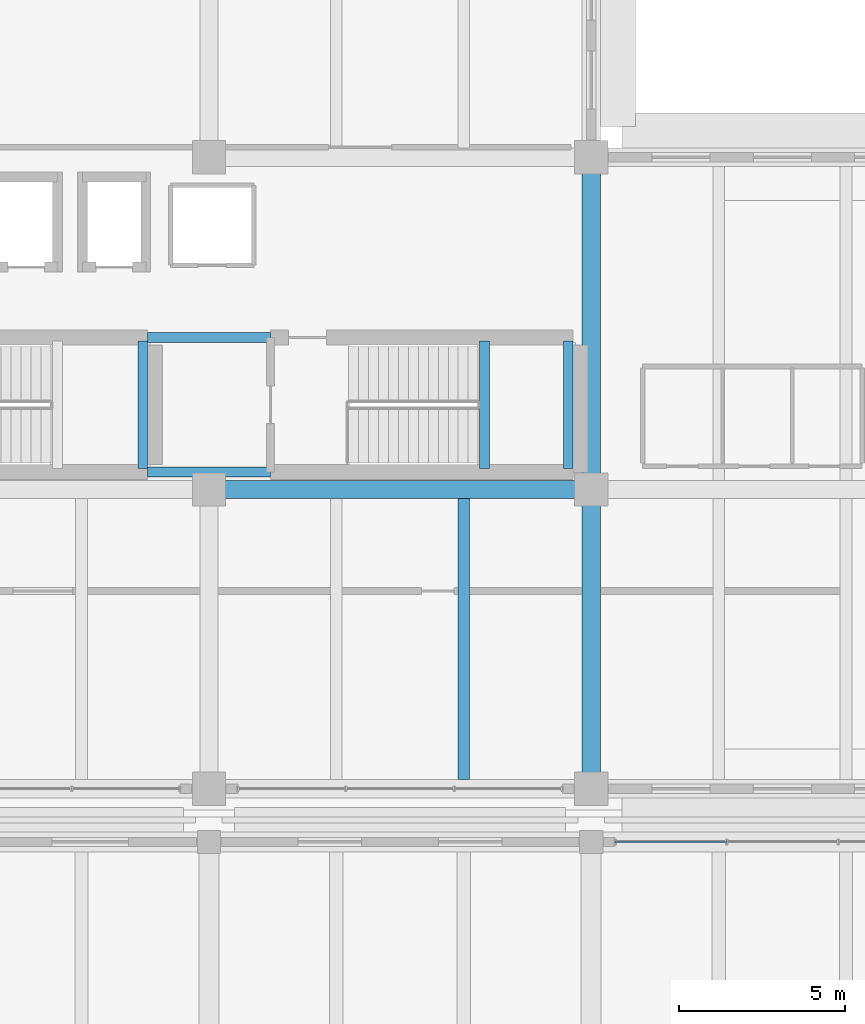
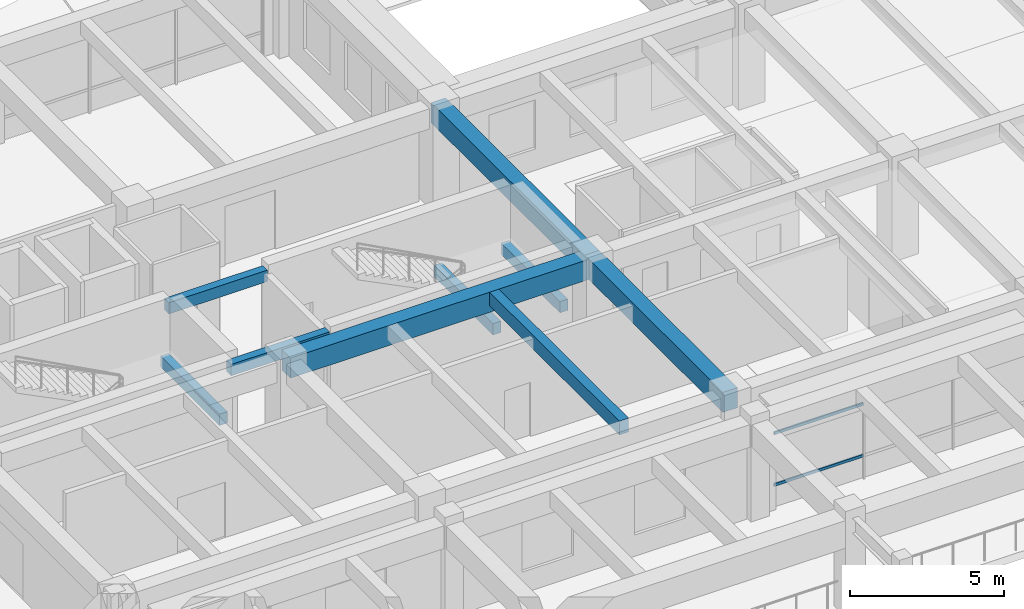
# One storey, part 24 of 98: 9 beams, 2 members, 1 element without a shape of its own.
"""IFC4 building model written with IfcOpenShell, lengths in metres."""

from ifc_helpers import new_model, si_unit, direction, frame, origin, origin_2d, place, context, subcontext, project, spatial, rectangle, hollow_rectangle, extrude, material, material_profile, profile_set, type_object, element, aggregate, save


model = new_model("IFC4")

# Units and contexts
model_context = context("Model", 3, precision=1e-05, world=origin(), true_north=direction((0.0, 1.0)))
body_context = subcontext(model_context, "Body", "Model", "MODEL_VIEW")
ifc_project = project(units=[si_unit("LENGTHUNIT", "METRE"), si_unit("AREAUNIT", "SQUARE_METRE"), si_unit("VOLUMEUNIT", "CUBIC_METRE"), si_unit("PLANEANGLEUNIT", "RADIAN"), si_unit("MASSUNIT", "GRAM", prefix="KILO")], contexts=[model_context])

# Site, building, storey
site_placement = place(None, origin())
site = spatial("IfcSite", under=ifc_project, at=site_placement, CompositionType="ELEMENT")
building_placement = place(site_placement, origin())
building = spatial("IfcBuilding", under=site, at=building_placement, Name="Ologun Quay Terminus", CompositionType="ELEMENT")
storey_placement = place(building_placement, frame((0.0, 0.0, 4.199951171875)))
storey = spatial("IfcBuildingStorey", under=building, at=storey_placement, Name="L01", CompositionType="ELEMENT", Elevation=4.199951171875)

# Beams
ifc_material_1 = material(Name="Concrete C40/50", Category="concrete")
ifc_material_profile_1 = material_profile(ifc_material_1, rectangle(XDim=0.300048828125, YDim=0.449951171875, at=origin_2d()), Name="RC 300x450")
ifc_profile_set_1 = profile_set([ifc_material_profile_1], Name="Concrete C40/50")
beam_type_1 = type_object("IfcBeamType", Name="Core Coupling Lintel Beam 300x450", PredefinedType="LINTEL", material=ifc_profile_set_1)
for number, where, z_axis, x_axis, name in (
    (1, (32.64990234375, 95.324951171875, 3.72509765625), (1.0, 0.0, 0.0), (0.0, 1.0, 0.0), "LN1 Beam 4/H L01"),
    (2, (32.64990234375, 99.375, 3.72509765625), (1.0, 0.0, 0.0), (0.0, 1.0, 0.0), "LN1 Beam 4/H L01"),
):
    element("IfcBeam", number, at=place(storey_placement, frame(where, z_axis=z_axis, x_axis=x_axis)), inside=storey, type_object=beam_type_1, Name=name, PredefinedType="LINTEL", context=body_context, shape_type="SweptSolid", body=[
        extrude(rectangle(XDim=0.300048828125, YDim=0.449951171875, at=origin_2d()), origin(), (0.0, 0.0, 1.0), 3.7001953125),
    ])
for number, where, z_axis, x_axis, name in (
    (3, (32.510009765625, 95.429931640625, 1.695068359375), (0.0, 1.0, 0.0), (-1.0, 0.0, 0.0), "LN1 Half-Landing Ledger Beam ST-W1-E L01"),
    (4, (42.7900390625, 95.429931640625, 1.695068359375), (0.0, 1.0, 0.0), (-1.0, 0.0, 0.0), "LN1 Half-Landing Ledger Beam ST-W2-W L01"),
    (5, (45.31005859375, 95.429931640625, 1.695068359375), (0.0, 1.0, 0.0), (-1.0, 0.0, 0.0), "LN1 Half-Landing Ledger Beam ST-W2-E L01"),
):
    element("IfcBeam", number, at=place(storey_placement, frame(where, z_axis=z_axis, x_axis=x_axis)), inside=storey, type_object=beam_type_1, Name=name, PredefinedType="LINTEL", context=body_context, shape_type="SweptSolid", body=[
        extrude(rectangle(XDim=0.300048828125, YDim=0.449951171875, at=origin_2d()), origin(), (0.0, 0.0, 1.0), 3.840087890625),
    ])

# Curtain wall, members
ifc_material_2 = material(Name="Aluminium 6063-T6", Category="aluminium")
curtain_wall_type = type_object("IfcCurtainWallType", Name="Forecourt Mezzanine Curtain Wall 10700x3850", PredefinedType="USERDEFINED", material=ifc_material_2)
curtain_wall_placement = place(storey_placement, origin())
curtain_wall = element("IfcCurtainWall", 6, at=curtain_wall_placement, inside=storey, type_object=curtain_wall_type, Name="CW-04 Curtain Wall CW-L01-088", ObjectType="UNITISED CURTAIN WALL", PredefinedType="USERDEFINED")
ifc_material_3 = material(Name="Aluminium 6063-T6", Category="aluminium")
ifc_material_profile_2 = material_profile(ifc_material_3, hollow_rectangle(XDim=0.054931640625, YDim=0.110107421875, WallThickness=0.00390625, at=origin_2d()), Name="ALU 110x55x4")
ifc_profile_set_2 = profile_set([ifc_material_profile_2], Name="Aluminium 6063-T6")
member_type = type_object("IfcMemberType", Name="Courtyard Screen Transom 110x55", PredefinedType="USERDEFINED", material=ifc_profile_set_2)
member_1_placement = place(storey_placement, frame((46.719970703125, 84.199951171875, 0.900146484375), z_axis=(1.0, 0.0, 0.0), x_axis=(0.0, 1.0, 0.0)))
member_1 = element("IfcMember", 7, at=member_1_placement, type_object=member_type, Name="CW-L01-088 Transom B1-1", ObjectType="TRANSOM", PredefinedType="USERDEFINED", context=body_context, shape_type="SweptSolid", body=[
    extrude(hollow_rectangle(XDim=0.054931640625, YDim=0.110107421875, WallThickness=0.00390625, at=origin_2d()), origin(), (0.0, 0.0, 1.0), 3.353271484375),
])
member_2_placement = place(storey_placement, frame((46.719970703125, 84.199951171875, 2.949951171875), z_axis=(1.0, 0.0, 0.0), x_axis=(0.0, 1.0, 0.0)))
member_2 = element("IfcMember", 8, at=member_2_placement, type_object=member_type, Name="CW-L01-088 Transom B1-2", ObjectType="TRANSOM", PredefinedType="USERDEFINED", context=body_context, shape_type="SweptSolid", body=[
    extrude(hollow_rectangle(XDim=0.054931640625, YDim=0.110107421875, WallThickness=0.00390625, at=origin_2d()), origin(), (0.0, 0.0, 1.0), 3.353271484375),
])
aggregate(curtain_wall, [member_1, member_2])

# Beams
ifc_material_4 = material(Name="Concrete C40/50", Category="concrete")
ifc_material_profile_3 = material_profile(ifc_material_4, rectangle(XDim=0.550048828125, YDim=0.800048828125, at=origin_2d()), Name="RC 550x800")
ifc_profile_set_3 = profile_set([ifc_material_profile_3], Name="Concrete C40/50")
beam_type_2 = type_object("IfcBeamType", Name="Courtyard Wing Primary Girder 550x800", PredefinedType="BEAM", material=ifc_profile_set_3)
beam_1_placement = place(storey_placement, frame((34.5, 94.800048828125, 3.550048828125), z_axis=(1.0, 0.0, 0.0), x_axis=(0.0, 1.0, 0.0)))
element("IfcBeam", 9, at=beam_1_placement, inside=storey, type_object=beam_type_2, Name="B4 Beam 4/H L01", PredefinedType="BEAM", context=body_context, shape_type="SweptSolid", body=[
    extrude(rectangle(XDim=0.550048828125, YDim=0.800048828125, at=origin_2d()), origin(), (0.0, 0.0, 1.0), 11.5),
])
beam_2_placement = place(storey_placement, frame((46.0, 85.800048828125, 3.550048828125), z_axis=(0.0, 1.0, 0.0), x_axis=(-1.0, 0.0, 0.0)))
element("IfcBeam", 10, at=beam_2_placement, inside=storey, type_object=beam_type_2, Name="B4 Beam 5/G2 L01", PredefinedType="BEAM", context=body_context, shape_type="SweptSolid", body=[
    extrude(rectangle(XDim=0.550048828125, YDim=0.800048828125, at=origin_2d()), origin(), (0.0, 0.0, 1.0), 9.0),
])
beam_3_placement = place(storey_placement, frame((46.0, 94.800048828125, 3.550048828125), z_axis=(0.0, 1.0, 0.0), x_axis=(-1.0, 0.0, 0.0)))
element("IfcBeam", 11, at=beam_3_placement, inside=storey, type_object=beam_type_2, Name="B4 Beam 5/H L01", PredefinedType="BEAM", context=body_context, shape_type="SweptSolid", body=[
    extrude(rectangle(XDim=0.550048828125, YDim=0.800048828125, at=origin_2d()), origin(), (0.0, 0.0, 1.0), 10.0),
])
ifc_material_5 = material(Name="Concrete C40/50", Category="concrete")
ifc_material_profile_4 = material_profile(ifc_material_5, rectangle(XDim=0.35009765625, YDim=0.550048828125, at=origin_2d()), Name="RC 350x550")
ifc_profile_set_4 = profile_set([ifc_material_profile_4], Name="Concrete C40/50")
beam_type_3 = type_object("IfcBeamType", Name="Courtyard Wing Secondary Joist 350x550", PredefinedType="JOIST", material=ifc_profile_set_4)
beam_4_placement = place(storey_placement, frame((42.166748046875, 86.074951171875, 3.675048828125), z_axis=(0.0, 1.0, 0.0), x_axis=(-1.0, 0.0, 0.0)))
element("IfcBeam", 12, at=beam_4_placement, inside=storey, type_object=beam_type_3, Name="J2 Beam 4/G2 L01", PredefinedType="JOIST", context=body_context, shape_type="SweptSolid", body=[
    extrude(rectangle(XDim=0.35009765625, YDim=0.550048828125, at=origin_2d()), origin(), (0.0, 0.0, 1.0), 8.449951171875),
])

save(model, "model.ifc")
